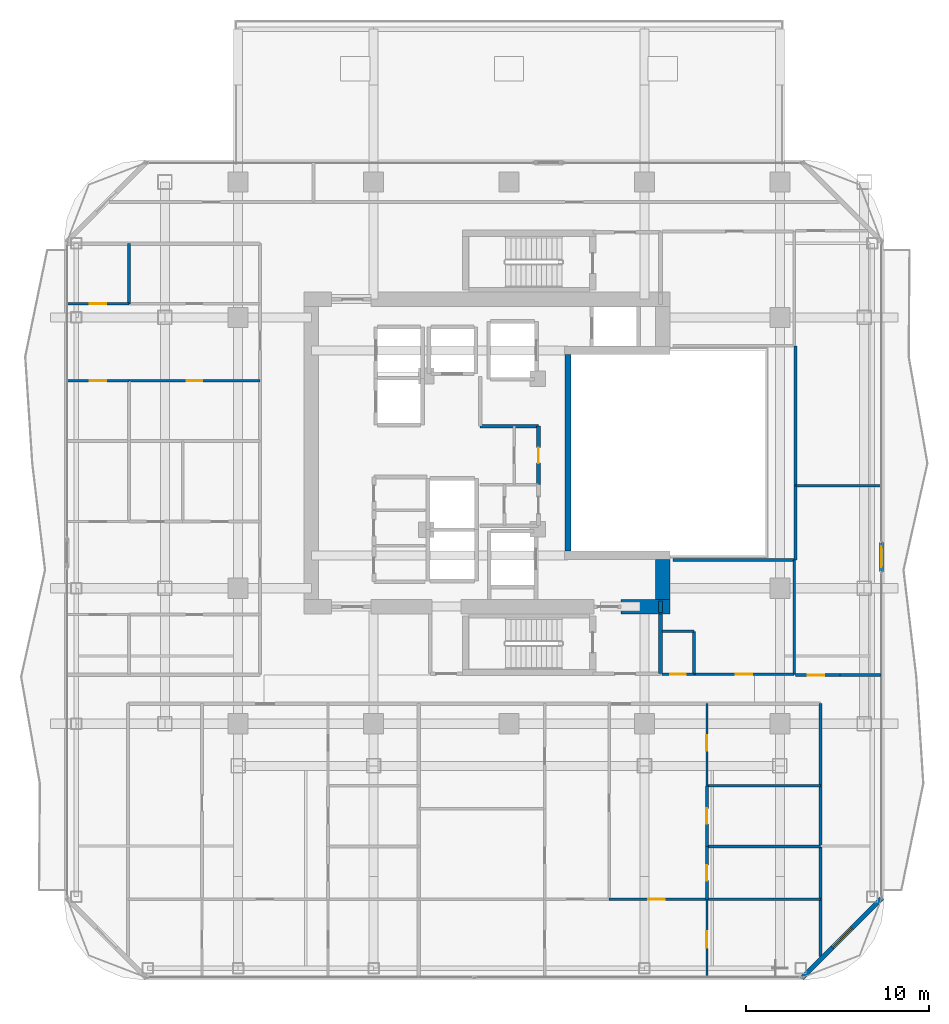
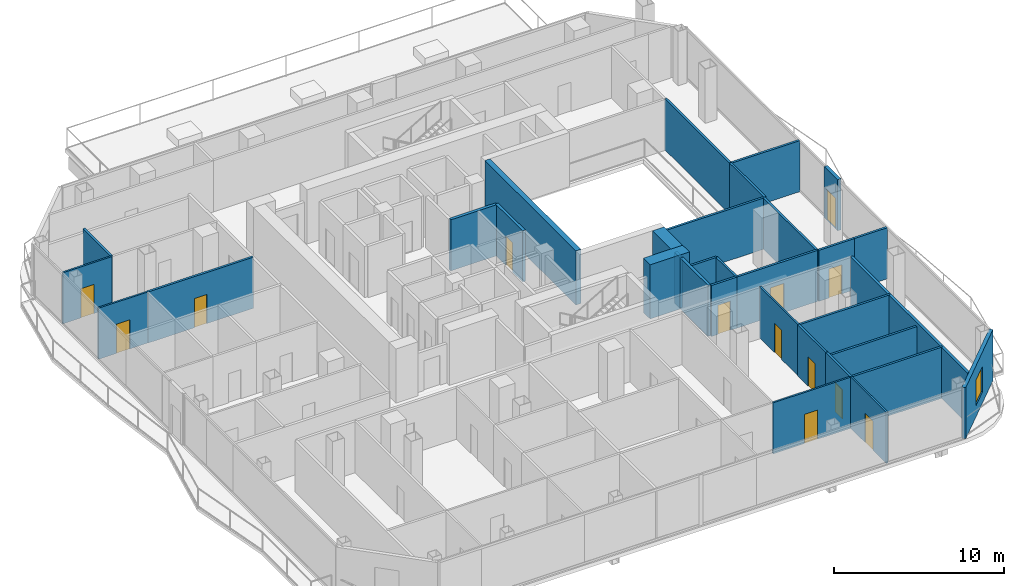
# One storey, part 19 of 24: 33 walls, 13 doors, 1 window, 14 openings.
"""IFC4 building model written with IfcOpenShell, lengths in metres."""

from ifc_helpers import new_model, si_unit, direction, frame, frame_2d, origin, place, context, subcontext, project, spatial, rectangle, extrude, material, layer, layer_set, type_object, element, fill, save


model = new_model("IFC4")

# Units and contexts
model_context = context("Model", 3, precision=1e-05, world=origin(), true_north=direction((0.0, 1.0)))
body_context = subcontext(model_context, "Body", "Model", "MODEL_VIEW")
ifc_project = project(units=[si_unit("LENGTHUNIT", "METRE"), si_unit("AREAUNIT", "SQUARE_METRE"), si_unit("VOLUMEUNIT", "CUBIC_METRE"), si_unit("PLANEANGLEUNIT", "RADIAN"), si_unit("MASSUNIT", "GRAM", prefix="KILO")], contexts=[model_context])

# Site, building, storey
site_placement = place(None, origin())
site = spatial("IfcSite", under=ifc_project, at=site_placement, CompositionType="ELEMENT")
building_placement = place(site_placement, origin())
building = spatial("IfcBuilding", under=site, at=building_placement, Name="Khorvyn Point Tower", CompositionType="ELEMENT")
storey_placement = place(building_placement, frame((0.0, 0.0, 191.39990234375)))
storey = spatial("IfcBuildingStorey", under=building, at=storey_placement, Name="L47", CompositionType="ELEMENT", Elevation=191.39990234375)

# Wall
ifc_material_1 = material(Name="Double acoustic gypsum on twin steel stud", Category="steel")
ifc_layer_1 = layer(ifc_material_1, 0.179931640625)
ifc_layer_set_1 = layer_set([ifc_layer_1], Name="Acoustic Double-Stud Apartment Demising Wall 180")
wall_type_1 = type_object("IfcWallType", Name="Acoustic Double-Stud Apartment Demising Wall 180", PredefinedType="PARTITIONING", material=ifc_layer_set_1)
wall_1_placement = place(storey_placement, frame((17.02001953125, -27.510009765625, 0.0), z_axis=(0.0, 0.0, 1.0), x_axis=(0.0, 1.0, 0.0)))
element("IfcWall", 1, at=wall_1_placement, inside=storey, type_object=wall_type_1, Name="Wall", PredefinedType="PARTITIONING", context=body_context, shape_type="SweptSolid", body=[
    extrude(rectangle(XDim=13.81005859375, YDim=0.179931640625, at=frame_2d((6.905029296875, 0.0))), origin(), (0.0, 0.0, 1.0), 3.68017578125),
])

# Wall, opening, door
ifc_material_2 = material(Name="Pale anodised aluminium rainscreen on steel stud", Category="steel")
ifc_layer_2 = layer(ifc_material_2, 0.239990234375)
ifc_layer_set_2 = layer_set([ifc_layer_2], Name="Anodised Aluminium Insulated Corner Spandrel Wall 240")
wall_type_2 = type_object("IfcWallType", Name="Anodised Aluminium Insulated Corner Spandrel Wall 240", PredefinedType="SOLIDWALL", material=ifc_layer_set_2)
wall_2_placement = place(storey_placement, frame((20.35009765625, -4.89990234375, 0.0), z_axis=(0.0, 0.0, 1.0), x_axis=(0.0, -1.0, 0.0)))
wall_2 = element("IfcWall", 2, at=wall_2_placement, inside=storey, type_object=wall_type_2, Name="L47 East Outdoor Threshold Wall", PredefinedType="SOLIDWALL", context=body_context, shape_type="SweptSolid", body=[
    extrude(rectangle(XDim=1.580078125, YDim=0.239990234375, at=frame_2d((0.7900390625, 0.0))), origin(), (0.0, 0.0, 1.0), 3.68017578125),
])
opening_1_placement = place(wall_2_placement, frame((0.239990234375, 0.0, 0.0)))
opening_1 = element("IfcOpeningElement", 3, at=opening_1_placement, cuts=wall_2, Name="Opening BD-1122", PredefinedType="OPENING", context=body_context, shape_type="SweptSolid", body=[
    extrude(rectangle(XDim=1.10009765625, YDim=2.199951171875, at=frame_2d((0.550048828125, 1.10009765625))), frame((0.0, 0.1298828125, 0.0), z_axis=(0.0, -1.0, 0.0), x_axis=(1.0, 0.0, 0.0)), (0.0, 0.0, 1.0), 0.260009765625),
])
ifc_material_3 = material(Name="Anodised aluminium 6063-T6 and laminated Low-E glass", Category="aluminium")
door_type_1 = type_object("IfcDoorType", Name="Glazed Balcony and Terrace Threshold Door 1100x2200", OperationType="NOTDEFINED", PredefinedType="DOOR", material=ifc_material_3)
door_1_placement = place(opening_1_placement, origin())
door_1 = element("IfcDoor", 4, at=door_1_placement, inside=storey, type_object=door_type_1, Name="L47 East Glazed Balcony Outdoor Door", OperationType="SINGLE_SWING_LEFT", OverallHeight=2.199951171875, OverallWidth=1.10009765625, PredefinedType="DOOR", context=body_context, shape_type="SweptSolid", body=[
    extrude(rectangle(XDim=1.10009765625, YDim=2.199951171875, at=frame_2d((0.550048828125, 1.10009765625))), frame((0.0, 0.02490234375, 0.0), z_axis=(0.0, -1.0, 0.0), x_axis=(1.0, 0.0, 0.0)), (0.0, 0.0, 1.0), 0.050048828125),
])
fill(opening_1, door_1)

# Wall, opening, window
wall_3_placement = place(storey_placement, frame((20.392333984375, -24.3076171875, 0.0), z_axis=(0.0, 0.0, 1.0), x_axis=(-0.707106781187, -0.707106781187, 0.0)))
wall_3 = element("IfcWall", 5, at=wall_3_placement, inside=storey, type_object=wall_type_2, Name="L47 Rounded Corner Wall SE", PredefinedType="SOLIDWALL", context=body_context, shape_type="SweptSolid", body=[
    extrude(rectangle(XDim=6.200927734375, YDim=0.239990234375, at=frame_2d((3.1005859375, 0.0))), origin(), (0.0, 0.0, 1.0), 3.68017578125),
])
opening_2_placement = place(wall_3_placement, frame((2.3505859375, 0.0, 0.800048828125)))
opening_2 = element("IfcOpeningElement", 6, at=opening_2_placement, cuts=wall_3, Name="Opening WN-1518", PredefinedType="OPENING", context=body_context, shape_type="SweptSolid", body=[
    extrude(rectangle(XDim=1.5, YDim=1.85009765625, at=frame_2d((0.75, 0.925048828125))), frame((0.0, 0.1298828125, 0.0), z_axis=(0.0, -1.0, 0.0), x_axis=(1.0, 0.0, 0.0)), (0.0, 0.0, 1.0), 0.260009765625),
])
window_type = type_object("IfcWindowType", Name="Anodised Aluminium Rounded-Corner Panoramic Window 1500x1850", PartitioningType="SINGLE_PANEL", PredefinedType="WINDOW", material=ifc_material_3)
window_placement = place(opening_2_placement, origin())
window = element("IfcWindow", 7, at=window_placement, inside=storey, type_object=window_type, Name="L47 Corner Panoramic Window SE", OverallHeight=1.85009765625, OverallWidth=1.5, PartitioningType="SINGLE_PANEL", PredefinedType="WINDOW", context=body_context, shape_type="SweptSolid", body=[
    extrude(rectangle(XDim=1.5, YDim=1.85009765625, at=frame_2d((0.75, 0.925048828125))), frame((0.0, 0.030029296875, 0.0), z_axis=(0.0, -1.0, 0.0), x_axis=(1.0, 0.0, 0.0)), (0.0, 0.0, 1.0), 0.06005859375),
])
fill(opening_2, window)

# Wall, opening, door
ifc_material_4 = material(Name="Concrete C40/50", Category="concrete")
ifc_layer_3 = layer(ifc_material_4, 0.199951171875)
ifc_layer_set_3 = layer_set([ifc_layer_3], Name="Concrete C40/50 Fire-Lobby Compartment Wall 200")
wall_type_3 = type_object("IfcWallType", Name="Concrete C40/50 Fire-Lobby Compartment Wall 200", PredefinedType="SOLIDWALL", material=ifc_layer_set_3)
wall_4_placement = place(storey_placement, frame((1.610107421875, -1.739013671875, 0.0), z_axis=(0.0, 0.0, 1.0), x_axis=(0.0, 1.0, 0.0)))
wall_4 = element("IfcWall", 8, at=wall_4_placement, inside=storey, type_object=wall_type_3, Name="Wall", PredefinedType="SOLIDWALL", context=body_context, shape_type="SweptSolid", body=[
    extrude(rectangle(XDim=3.198974609375, YDim=0.199951171875, at=frame_2d((1.599609375, 0.0))), origin(), (0.0, 0.0, 1.0), 3.68017578125),
])
opening_3_placement = place(wall_4_placement, frame((1.174560546875, 0.0, 0.0)))
opening_3 = element("IfcOpeningElement", 9, at=opening_3_placement, cuts=wall_4, Name="Opening ID-WC85", PredefinedType="OPENING", context=body_context, shape_type="SweptSolid", body=[
    extrude(rectangle(XDim=0.85009765625, YDim=2.10009765625, at=frame_2d((0.425048828125, 1.050048828125))), frame((0.0, 0.10986328125, 0.0), z_axis=(0.0, -1.0, 0.0), x_axis=(1.0, 0.0, 0.0)), (0.0, 0.0, 1.0), 0.219970703125),
])
ifc_material_5 = material(Name="High-pressure laminate on moisture-resistant core", Category="wood")
door_type_2 = type_object("IfcDoorType", Name="Moisture-Resistant Accessible Washroom Door 850x2100", OperationType="NOTDEFINED", PredefinedType="DOOR", material=ifc_material_5)
door_2_placement = place(opening_3_placement, origin())
door_2 = element("IfcDoor", 10, at=door_2_placement, inside=storey, type_object=door_type_2, Name="Door", OperationType="SINGLE_SWING_RIGHT", OverallHeight=2.10009765625, OverallWidth=0.85009765625, PredefinedType="DOOR", context=body_context, shape_type="SweptSolid", body=[
    extrude(rectangle(XDim=0.85009765625, YDim=2.10009765625, at=frame_2d((0.425048828125, 1.050048828125))), frame((0.0, 0.02490234375, 0.0), z_axis=(0.0, -1.0, 0.0), x_axis=(1.0, 0.0, 0.0)), (0.0, 0.0, 1.0), 0.050048828125),
])
fill(opening_3, door_2)

# Walls
wall_5_placement = place(storey_placement, frame((8.280029296875, -12.06005859375, 0.0), z_axis=(0.0, 0.0, 1.0), x_axis=(0.0, 1.0, 0.0)))
element("IfcWall", 11, at=wall_5_placement, inside=storey, type_object=wall_type_3, Name="Wall", PredefinedType="SOLIDWALL", context=body_context, shape_type="SweptSolid", body=[
    extrude(rectangle(XDim=3.260009765625, YDim=0.199951171875, at=frame_2d((1.6298828125, 0.0))), origin(), (0.0, 0.0, 1.0), 3.68017578125),
])
wall_6_placement = place(storey_placement, frame((-1.580078125, 1.4599609375, 0.0), z_axis=(0.0, 0.0, 1.0), x_axis=(1.0, 0.0, 0.0)))
element("IfcWall", 12, at=wall_6_placement, inside=storey, type_object=wall_type_3, Name="Wall", PredefinedType="SOLIDWALL", context=body_context, shape_type="SweptSolid", body=[
    extrude(rectangle(XDim=3.190185546875, YDim=0.199951171875, at=frame_2d((1.59521484375, 0.0))), origin(), (0.0, 0.0, 1.0), 3.68017578125),
])
wall_7_placement = place(storey_placement, frame((8.280029296875, -8.72509765625, 0.0), z_axis=(0.0, 0.0, 1.0), x_axis=(0.0, 1.0, 0.0)))
element("IfcWall", 13, at=wall_7_placement, inside=storey, type_object=wall_type_3, Name="Wall", PredefinedType="SOLIDWALL", context=body_context, shape_type="SweptSolid", body=[
    extrude(rectangle(XDim=0.625, YDim=0.199951171875, at=frame_2d((0.3125, 0.0))), origin(), (0.0, 0.0, 1.0), 3.68017578125),
])
ifc_layer_4 = layer(ifc_material_4, 0.35009765625)
ifc_layer_set_4 = layer_set([ifc_layer_4], Name="Concrete C40/50 Stair Shaft Structural Wall 350")
wall_type_4 = type_object("IfcWallType", Name="Concrete C40/50 Stair Shaft Structural Wall 350", PredefinedType="SHEAR", material=ifc_layer_set_4)
wall_8_placement = place(storey_placement, frame((3.219970703125, -5.375, 0.0), z_axis=(0.0, 0.0, 1.0), x_axis=(0.0, 1.0, 0.0)))
element("IfcWall", 14, at=wall_8_placement, inside=storey, type_object=wall_type_4, Name="Wall", PredefinedType="SHEAR", context=body_context, shape_type="SweptSolid", body=[
    extrude(rectangle(XDim=10.75, YDim=0.35009765625, at=frame_2d((5.375, 0.0))), origin(), (0.0, 0.0, 1.0), 3.900146484375),
])
ifc_material_6 = material(Name="Concrete C45/55", Category="concrete")
ifc_layer_5 = layer(ifc_material_6, 0.800048828125)
ifc_layer_set_5 = layer_set([ifc_layer_5], Name="Concrete C45/55 Core Shear Wall 800")
wall_type_5 = type_object("IfcWallType", Name="Concrete C45/55 Core Shear Wall 800", PredefinedType="SHEAR", material=ifc_layer_set_5)
wall_9_placement = place(storey_placement, frame((6.1201171875, -8.39990234375, 0.0), z_axis=(0.0, 0.0, 1.0), x_axis=(1.0, 0.0, 0.0)))
element("IfcWall", 15, at=wall_9_placement, inside=storey, type_object=wall_type_5, Name="Wall", PredefinedType="SHEAR", context=body_context, shape_type="SweptSolid", body=[
    extrude(rectangle(XDim=2.679931640625, YDim=0.800048828125, at=frame_2d((1.33984375, 0.0))), origin(), (0.0, 0.0, 1.0), 3.900146484375),
])
wall_10_placement = place(storey_placement, frame((8.39990234375, -8.0, 0.0), z_axis=(0.0, 0.0, 1.0), x_axis=(0.0, 1.0, 0.0)))
element("IfcWall", 16, at=wall_10_placement, inside=storey, type_object=wall_type_5, Name="Wall", PredefinedType="SHEAR", context=body_context, shape_type="SweptSolid", body=[
    extrude(rectangle(XDim=2.175048828125, YDim=0.800048828125, at=frame_2d((1.08740234375, 0.0))), origin(), (0.0, 0.0, 1.0), 3.900146484375),
])

# Wall, opening, door
ifc_material_7 = material(Name="Gypsum plasterboard on steel stud", Category="steel")
ifc_layer_6 = layer(ifc_material_7, 0.1201171875)
ifc_layer_set_6 = layer_set([ifc_layer_6], Name="Gypsum Acoustic Stud Room Partition Wall 120")
wall_type_6 = type_object("IfcWallType", Name="Gypsum Acoustic Stud Room Partition Wall 120", PredefinedType="PARTITIONING", material=ifc_layer_set_6)
wall_11_placement = place(storey_placement, frame((5.471923828125, -24.389892578125, 0.0), z_axis=(0.0, 0.0, 1.0), x_axis=(1.0, 0.0, 0.0)))
wall_11 = element("IfcWall", 17, at=wall_11_placement, inside=storey, type_object=wall_type_6, Name="Wall", PredefinedType="PARTITIONING", context=body_context, shape_type="SweptSolid", body=[
    extrude(rectangle(XDim=5.342041015625, YDim=0.1201171875, at=frame_2d((2.6708984375, 0.0))), origin(), (0.0, 0.0, 1.0), 3.68017578125),
])
opening_4_placement = place(wall_11_placement, frame((2.13134765625, 0.0, 0.0)))
opening_4 = element("IfcOpeningElement", 18, at=opening_4_placement, cuts=wall_11, Name="Opening ID-RM90", PredefinedType="OPENING", context=body_context, shape_type="SweptSolid", body=[
    extrude(rectangle(XDim=0.89990234375, YDim=2.10009765625, at=frame_2d((0.449951171875, 1.050048828125))), frame((0.0, 0.070068359375, 0.0), z_axis=(0.0, -1.0, 0.0), x_axis=(1.0, 0.0, 0.0)), (0.0, 0.0, 1.0), 0.14013671875),
])
ifc_material_8 = material(Name="Engineered oak veneer timber", Category="wood")
door_type_3 = type_object("IfcDoorType", Name="Flush Engineered Timber Room Door 900x2100", OperationType="NOTDEFINED", PredefinedType="DOOR", material=ifc_material_8)
door_3_placement = place(opening_4_placement, origin())
door_3 = element("IfcDoor", 19, at=door_3_placement, inside=storey, type_object=door_type_3, Name="Door", OperationType="SINGLE_SWING_LEFT", OverallHeight=2.10009765625, OverallWidth=0.89990234375, PredefinedType="DOOR", context=body_context, shape_type="SweptSolid", body=[
    extrude(rectangle(XDim=0.89990234375, YDim=2.10009765625, at=frame_2d((0.449951171875, 1.050048828125))), frame((0.0, 0.02490234375, 0.0), z_axis=(0.0, -1.0, 0.0), x_axis=(1.0, 0.0, 0.0)), (0.0, 0.0, 1.0), 0.050048828125),
])
fill(opening_4, door_3)

wall_12_placement = place(storey_placement, frame((10.81396484375, -18.18994140625, 0.0), z_axis=(0.0, 0.0, 1.0), x_axis=(0.0, 1.0, 0.0)))
wall_12 = element("IfcWall", 20, at=wall_12_placement, inside=storey, type_object=wall_type_6, Name="Wall", PredefinedType="PARTITIONING", context=body_context, shape_type="SweptSolid", body=[
    extrude(rectangle(XDim=4.489990234375, YDim=0.1201171875, at=frame_2d((2.2451171875, 0.0))), origin(), (0.0, 0.0, 1.0), 3.68017578125),
])
opening_5_placement = place(wall_12_placement, frame((1.907470703125, 0.0, 0.0)))
opening_5 = element("IfcOpeningElement", 21, at=opening_5_placement, cuts=wall_12, Name="Opening ID-WC85", PredefinedType="OPENING", context=body_context, shape_type="SweptSolid", body=[
    extrude(rectangle(XDim=0.85009765625, YDim=2.10009765625, at=frame_2d((0.425048828125, 1.050048828125))), frame((0.0, 0.070068359375, 0.0), z_axis=(0.0, -1.0, 0.0), x_axis=(1.0, 0.0, 0.0)), (0.0, 0.0, 1.0), 0.14013671875),
])
door_4_placement = place(opening_5_placement, origin())
door_4 = element("IfcDoor", 22, at=door_4_placement, inside=storey, type_object=door_type_2, Name="Door", OperationType="SINGLE_SWING_RIGHT", OverallHeight=2.10009765625, OverallWidth=0.85009765625, PredefinedType="DOOR", context=body_context, shape_type="SweptSolid", body=[
    extrude(rectangle(XDim=0.85009765625, YDim=2.10009765625, at=frame_2d((0.425048828125, 1.050048828125))), frame((0.0, 0.02490234375, 0.0), z_axis=(0.0, -1.0, 0.0), x_axis=(1.0, 0.0, 0.0)), (0.0, 0.0, 1.0), 0.050048828125),
])
fill(opening_5, door_4)

wall_13_placement = place(storey_placement, frame((10.81396484375, -28.6298828125, 0.0), z_axis=(0.0, 0.0, 1.0), x_axis=(0.0, 1.0, 0.0)))
wall_13 = element("IfcWall", 23, at=wall_13_placement, inside=storey, type_object=wall_type_6, Name="Wall", PredefinedType="PARTITIONING", context=body_context, shape_type="SweptSolid", body=[
    extrude(rectangle(XDim=4.239990234375, YDim=0.1201171875, at=frame_2d((2.1201171875, 0.0))), origin(), (0.0, 0.0, 1.0), 3.68017578125),
])
opening_6_placement = place(wall_13_placement, frame((1.581298828125, 0.0, 0.0)))
opening_6 = element("IfcOpeningElement", 24, at=opening_6_placement, cuts=wall_13, Name="Opening ID-RM90", PredefinedType="OPENING", context=body_context, shape_type="SweptSolid", body=[
    extrude(rectangle(XDim=0.89990234375, YDim=2.10009765625, at=frame_2d((0.449951171875, 1.050048828125))), frame((0.0, 0.070068359375, 0.0), z_axis=(0.0, -1.0, 0.0), x_axis=(1.0, 0.0, 0.0)), (0.0, 0.0, 1.0), 0.14013671875),
])
door_5_placement = place(opening_6_placement, origin())
door_5 = element("IfcDoor", 25, at=door_5_placement, inside=storey, type_object=door_type_3, Name="Door", OperationType="SINGLE_SWING_LEFT", OverallHeight=2.10009765625, OverallWidth=0.89990234375, PredefinedType="DOOR", context=body_context, shape_type="SweptSolid", body=[
    extrude(rectangle(XDim=0.89990234375, YDim=2.10009765625, at=frame_2d((0.449951171875, 1.050048828125))), frame((0.0, 0.02490234375, 0.0), z_axis=(0.0, -1.0, 0.0), x_axis=(1.0, 0.0, 0.0)), (0.0, 0.0, 1.0), 0.050048828125),
])
fill(opening_6, door_5)

wall_14_placement = place(storey_placement, frame((-24.1298828125, 3.93896484375, 0.0), z_axis=(0.0, 0.0, 1.0), x_axis=(1.0, 0.0, 0.0)))
wall_14 = element("IfcWall", 26, at=wall_14_placement, inside=storey, type_object=wall_type_6, Name="Wall", PredefinedType="PARTITIONING", context=body_context, shape_type="SweptSolid", body=[
    extrude(rectangle(XDim=3.36083984375, YDim=0.1201171875, at=frame_2d((1.680419921875, 0.0))), origin(), (0.0, 0.0, 1.0), 3.68017578125),
])
opening_7_placement = place(wall_14_placement, frame((1.23046875, 0.0, 0.0)))
opening_7 = element("IfcOpeningElement", 27, at=opening_7_placement, cuts=wall_14, Name="Opening ID-RM90", PredefinedType="OPENING", context=body_context, shape_type="SweptSolid", body=[
    extrude(rectangle(XDim=0.89990234375, YDim=2.10009765625, at=frame_2d((0.449951171875, 1.050048828125))), frame((0.0, 0.070068359375, 0.0), z_axis=(0.0, -1.0, 0.0), x_axis=(1.0, 0.0, 0.0)), (0.0, 0.0, 1.0), 0.14013671875),
])
door_6_placement = place(opening_7_placement, origin())
door_6 = element("IfcDoor", 28, at=door_6_placement, inside=storey, type_object=door_type_3, Name="Door", OperationType="SINGLE_SWING_LEFT", OverallHeight=2.10009765625, OverallWidth=0.89990234375, PredefinedType="DOOR", context=body_context, shape_type="SweptSolid", body=[
    extrude(rectangle(XDim=0.89990234375, YDim=2.10009765625, at=frame_2d((0.449951171875, 1.050048828125))), frame((0.0, 0.02490234375, 0.0), z_axis=(0.0, -1.0, 0.0), x_axis=(1.0, 0.0, 0.0)), (0.0, 0.0, 1.0), 0.050048828125),
])
fill(opening_7, door_6)

wall_15_placement = place(storey_placement, frame((-24.1298828125, 8.14599609375, 0.0), z_axis=(0.0, 0.0, 1.0), x_axis=(1.0, 0.0, 0.0)))
wall_15 = element("IfcWall", 29, at=wall_15_placement, inside=storey, type_object=wall_type_6, Name="Wall", PredefinedType="PARTITIONING", context=body_context, shape_type="SweptSolid", body=[
    extrude(rectangle(XDim=3.36083984375, YDim=0.1201171875, at=frame_2d((1.680419921875, 0.0))), origin(), (0.0, 0.0, 1.0), 3.68017578125),
])
opening_8_placement = place(wall_15_placement, frame((1.23046875, 0.0, 0.0)))
opening_8 = element("IfcOpeningElement", 30, at=opening_8_placement, cuts=wall_15, Name="Opening ID-RM90", PredefinedType="OPENING", context=body_context, shape_type="SweptSolid", body=[
    extrude(rectangle(XDim=0.89990234375, YDim=2.10009765625, at=frame_2d((0.449951171875, 1.050048828125))), frame((0.0, 0.070068359375, 0.0), z_axis=(0.0, -1.0, 0.0), x_axis=(1.0, 0.0, 0.0)), (0.0, 0.0, 1.0), 0.14013671875),
])
door_7_placement = place(opening_8_placement, origin())
door_7 = element("IfcDoor", 31, at=door_7_placement, inside=storey, type_object=door_type_3, Name="Door", OperationType="SINGLE_SWING_RIGHT", OverallHeight=2.10009765625, OverallWidth=0.89990234375, PredefinedType="DOOR", context=body_context, shape_type="SweptSolid", body=[
    extrude(rectangle(XDim=0.89990234375, YDim=2.10009765625, at=frame_2d((0.449951171875, 1.050048828125))), frame((0.0, 0.02490234375, 0.0), z_axis=(0.0, -1.0, 0.0), x_axis=(1.0, 0.0, 0.0)), (0.0, 0.0, 1.0), 0.050048828125),
])
fill(opening_8, door_7)

ifc_material_9 = material(Name="Moisture-resistant gypsum and cement board", Category="gypsum")
ifc_layer_7 = layer(ifc_material_9, 0.14990234375)
ifc_layer_set_7 = layer_set([ifc_layer_7], Name="Moisture-Resistant Wet-Room Partition Wall 150")
wall_type_7 = type_object("IfcWallType", Name="Moisture-Resistant Wet-Room Partition Wall 150", PredefinedType="PARTITIONING", material=ifc_layer_set_7)
wall_16_placement = place(storey_placement, frame((8.360107421875, -12.10009765625, 0.0), z_axis=(0.0, 0.0, 1.0), x_axis=(1.0, 0.0, 0.0)))
wall_16 = element("IfcWall", 32, at=wall_16_placement, inside=storey, type_object=wall_type_7, Name="Wall", PredefinedType="PARTITIONING", context=body_context, shape_type="SweptSolid", body=[
    extrude(rectangle(XDim=1.739990234375, YDim=0.14990234375, at=frame_2d((0.8701171875, 0.0))), origin(), (0.0, 0.0, 1.0), 3.68017578125),
])
opening_9_placement = place(wall_16_placement, frame((0.445068359375, 0.0, 0.0)))
opening_9 = element("IfcOpeningElement", 33, at=opening_9_placement, cuts=wall_16, Name="Opening ID-WC85", PredefinedType="OPENING", context=body_context, shape_type="SweptSolid", body=[
    extrude(rectangle(XDim=0.85009765625, YDim=2.10009765625, at=frame_2d((0.425048828125, 1.050048828125))), frame((0.0, 0.0849609375, 0.0), z_axis=(0.0, -1.0, 0.0), x_axis=(1.0, 0.0, 0.0)), (0.0, 0.0, 1.0), 0.169921875),
])
door_8_placement = place(opening_9_placement, origin())
door_8 = element("IfcDoor", 34, at=door_8_placement, inside=storey, type_object=door_type_2, Name="Door", OperationType="SINGLE_SWING_RIGHT", OverallHeight=2.10009765625, OverallWidth=0.85009765625, PredefinedType="DOOR", context=body_context, shape_type="SweptSolid", body=[
    extrude(rectangle(XDim=0.85009765625, YDim=2.10009765625, at=frame_2d((0.425048828125, 1.050048828125))), frame((0.0, 0.02490234375, 0.0), z_axis=(0.0, -1.0, 0.0), x_axis=(1.0, 0.0, 0.0)), (0.0, 0.0, 1.0), 0.050048828125),
])
fill(opening_9, door_8)

wall_17_placement = place(storey_placement, frame((10.10009765625, -12.10009765625, 0.0), z_axis=(0.0, 0.0, 1.0), x_axis=(1.0, 0.0, 0.0)))
wall_17 = element("IfcWall", 35, at=wall_17_placement, inside=storey, type_object=wall_type_7, Name="Wall", PredefinedType="PARTITIONING", context=body_context, shape_type="SweptSolid", body=[
    extrude(rectangle(XDim=5.47998046875, YDim=0.14990234375, at=frame_2d((2.739990234375, 0.0))), origin(), (0.0, 0.0, 1.0), 3.68017578125),
])
opening_10_placement = place(wall_17_placement, frame((2.2900390625, 0.0, 0.0)))
opening_10 = element("IfcOpeningElement", 36, at=opening_10_placement, cuts=wall_17, Name="Opening ID-RM90", PredefinedType="OPENING", context=body_context, shape_type="SweptSolid", body=[
    extrude(rectangle(XDim=0.89990234375, YDim=2.10009765625, at=frame_2d((0.449951171875, 1.050048828125))), frame((0.0, 0.0849609375, 0.0), z_axis=(0.0, -1.0, 0.0), x_axis=(1.0, 0.0, 0.0)), (0.0, 0.0, 1.0), 0.169921875),
])
door_9_placement = place(opening_10_placement, origin())
door_9 = element("IfcDoor", 37, at=door_9_placement, inside=storey, type_object=door_type_3, Name="Door", OperationType="SINGLE_SWING_LEFT", OverallHeight=2.10009765625, OverallWidth=0.89990234375, PredefinedType="DOOR", context=body_context, shape_type="SweptSolid", body=[
    extrude(rectangle(XDim=0.89990234375, YDim=2.10009765625, at=frame_2d((0.449951171875, 1.050048828125))), frame((0.0, 0.02490234375, 0.0), z_axis=(0.0, -1.0, 0.0), x_axis=(1.0, 0.0, 0.0)), (0.0, 0.0, 1.0), 0.050048828125),
])
fill(opening_10, door_9)

wall_18_placement = place(storey_placement, frame((10.81396484375, -24.389892578125, 0.0), z_axis=(0.0, 0.0, 1.0), x_axis=(0.0, 1.0, 0.0)))
wall_18 = element("IfcWall", 38, at=wall_18_placement, inside=storey, type_object=wall_type_7, Name="Wall", PredefinedType="PARTITIONING", context=body_context, shape_type="SweptSolid", body=[
    extrude(rectangle(XDim=2.885986328125, YDim=0.14990234375, at=frame_2d((1.44287109375, 0.0))), origin(), (0.0, 0.0, 1.0), 3.68017578125),
])
opening_11_placement = place(wall_18_placement, frame((1.01806640625, 0.0, 0.0)))
opening_11 = element("IfcOpeningElement", 39, at=opening_11_placement, cuts=wall_18, Name="Opening ID-WC85", PredefinedType="OPENING", context=body_context, shape_type="SweptSolid", body=[
    extrude(rectangle(XDim=0.85009765625, YDim=2.10009765625, at=frame_2d((0.425048828125, 1.050048828125))), frame((0.0, 0.0849609375, 0.0), z_axis=(0.0, -1.0, 0.0), x_axis=(1.0, 0.0, 0.0)), (0.0, 0.0, 1.0), 0.169921875),
])
door_10_placement = place(opening_11_placement, origin())
door_10 = element("IfcDoor", 40, at=door_10_placement, inside=storey, type_object=door_type_2, Name="Door", OperationType="SINGLE_SWING_RIGHT", OverallHeight=2.10009765625, OverallWidth=0.85009765625, PredefinedType="DOOR", context=body_context, shape_type="SweptSolid", body=[
    extrude(rectangle(XDim=0.85009765625, YDim=2.10009765625, at=frame_2d((0.425048828125, 1.050048828125))), frame((0.0, 0.02490234375, 0.0), z_axis=(0.0, -1.0, 0.0), x_axis=(1.0, 0.0, 0.0)), (0.0, 0.0, 1.0), 0.050048828125),
])
fill(opening_11, door_10)

wall_19_placement = place(storey_placement, frame((10.81396484375, -21.50390625, 0.0), z_axis=(0.0, 0.0, 1.0), x_axis=(0.0, 1.0, 0.0)))
wall_19 = element("IfcWall", 41, at=wall_19_placement, inside=storey, type_object=wall_type_7, Name="Wall", PredefinedType="PARTITIONING", context=body_context, shape_type="SweptSolid", body=[
    extrude(rectangle(XDim=3.31396484375, YDim=0.14990234375, at=frame_2d((1.656982421875, 0.0))), origin(), (0.0, 0.0, 1.0), 3.68017578125),
])
opening_12_placement = place(wall_19_placement, frame((1.23193359375, 0.0, 0.0)))
opening_12 = element("IfcOpeningElement", 42, at=opening_12_placement, cuts=wall_19, Name="Opening ID-WC85", PredefinedType="OPENING", context=body_context, shape_type="SweptSolid", body=[
    extrude(rectangle(XDim=0.85009765625, YDim=2.10009765625, at=frame_2d((0.425048828125, 1.050048828125))), frame((0.0, 0.0849609375, 0.0), z_axis=(0.0, -1.0, 0.0), x_axis=(1.0, 0.0, 0.0)), (0.0, 0.0, 1.0), 0.169921875),
])
door_11_placement = place(opening_12_placement, origin())
door_11 = element("IfcDoor", 43, at=door_11_placement, inside=storey, type_object=door_type_2, Name="Door", OperationType="SINGLE_SWING_LEFT", OverallHeight=2.10009765625, OverallWidth=0.85009765625, PredefinedType="DOOR", context=body_context, shape_type="SweptSolid", body=[
    extrude(rectangle(XDim=0.85009765625, YDim=2.10009765625, at=frame_2d((0.425048828125, 1.050048828125))), frame((0.0, 0.02490234375, 0.0), z_axis=(0.0, -1.0, 0.0), x_axis=(1.0, 0.0, 0.0)), (0.0, 0.0, 1.0), 0.050048828125),
])
fill(opening_12, door_11)

wall_20_placement = place(storey_placement, frame((-20.76904296875, 3.93896484375, 0.0), z_axis=(0.0, 0.0, 1.0), x_axis=(1.0, 0.0, 0.0)))
wall_20 = element("IfcWall", 44, at=wall_20_placement, inside=storey, type_object=wall_type_7, Name="Wall", PredefinedType="PARTITIONING", context=body_context, shape_type="SweptSolid", body=[
    extrude(rectangle(XDim=7.1689453125, YDim=0.14990234375, at=frame_2d((3.58447265625, 0.0))), origin(), (0.0, 0.0, 1.0), 3.68017578125),
])
opening_13_placement = place(wall_20_placement, frame((3.159423828125, 0.0, 0.0)))
opening_13 = element("IfcOpeningElement", 45, at=opening_13_placement, cuts=wall_20, Name="Opening ID-WC85", PredefinedType="OPENING", context=body_context, shape_type="SweptSolid", body=[
    extrude(rectangle(XDim=0.85009765625, YDim=2.10009765625, at=frame_2d((0.425048828125, 1.050048828125))), frame((0.0, 0.0849609375, 0.0), z_axis=(0.0, -1.0, 0.0), x_axis=(1.0, 0.0, 0.0)), (0.0, 0.0, 1.0), 0.169921875),
])
door_12_placement = place(opening_13_placement, origin())
door_12 = element("IfcDoor", 46, at=door_12_placement, inside=storey, type_object=door_type_2, Name="Door", OperationType="SINGLE_SWING_RIGHT", OverallHeight=2.10009765625, OverallWidth=0.85009765625, PredefinedType="DOOR", context=body_context, shape_type="SweptSolid", body=[
    extrude(rectangle(XDim=0.85009765625, YDim=2.10009765625, at=frame_2d((0.425048828125, 1.050048828125))), frame((0.0, 0.02490234375, 0.0), z_axis=(0.0, -1.0, 0.0), x_axis=(1.0, 0.0, 0.0)), (0.0, 0.0, 1.0), 0.050048828125),
])
fill(opening_13, door_12)

wall_21_placement = place(storey_placement, frame((15.64990234375, -12.139892578125, 0.0), z_axis=(0.0, 0.0, 1.0), x_axis=(1.0, 0.0, 0.0)))
wall_21 = element("IfcWall", 47, at=wall_21_placement, inside=storey, type_object=wall_type_7, Name="Wall", PredefinedType="PARTITIONING", context=body_context, shape_type="SweptSolid", body=[
    extrude(rectangle(XDim=2.420166015625, YDim=0.14990234375, at=frame_2d((1.2099609375, 0.0))), origin(), (0.0, 0.0, 1.0), 3.68017578125),
])
opening_14_placement = place(wall_21_placement, frame((0.67431640625, 0.0, 0.0)))
opening_14 = element("IfcOpeningElement", 48, at=opening_14_placement, cuts=wall_21, Name="Opening ID-RM90", PredefinedType="OPENING", context=body_context, shape_type="SweptSolid", body=[
    extrude(rectangle(XDim=0.89990234375, YDim=2.10009765625, at=frame_2d((0.449951171875, 1.050048828125))), frame((0.0, 0.0849609375, 0.0), z_axis=(0.0, -1.0, 0.0), x_axis=(1.0, 0.0, 0.0)), (0.0, 0.0, 1.0), 0.169921875),
])
door_13_placement = place(opening_14_placement, origin())
door_13 = element("IfcDoor", 49, at=door_13_placement, inside=storey, type_object=door_type_3, Name="Door", OperationType="SINGLE_SWING_LEFT", OverallHeight=2.10009765625, OverallWidth=0.89990234375, PredefinedType="DOOR", context=body_context, shape_type="SweptSolid", body=[
    extrude(rectangle(XDim=0.89990234375, YDim=2.10009765625, at=frame_2d((0.449951171875, 1.050048828125))), frame((0.0, 0.02490234375, 0.0), z_axis=(0.0, -1.0, 0.0), x_axis=(1.0, 0.0, 0.0)), (0.0, 0.0, 1.0), 0.050048828125),
])
fill(opening_14, door_13)

# Walls
wall_22_placement = place(storey_placement, frame((8.360107421875, -9.75, 0.0), z_axis=(0.0, 0.0, 1.0), x_axis=(1.0, 0.0, 0.0)))
element("IfcWall", 50, at=wall_22_placement, inside=storey, type_object=wall_type_7, Name="Wall", PredefinedType="PARTITIONING", context=body_context, shape_type="SweptSolid", body=[
    extrude(rectangle(XDim=1.739990234375, YDim=0.14990234375, at=frame_2d((0.8701171875, 0.0))), origin(), (0.0, 0.0, 1.0), 3.68017578125),
])
wall_23_placement = place(storey_placement, frame((10.10009765625, -12.10009765625, 0.0), z_axis=(0.0, 0.0, 1.0), x_axis=(0.0, 1.0, 0.0)))
element("IfcWall", 51, at=wall_23_placement, inside=storey, type_object=wall_type_7, Name="Wall", PredefinedType="PARTITIONING", context=body_context, shape_type="SweptSolid", body=[
    extrude(rectangle(XDim=2.35009765625, YDim=0.14990234375, at=frame_2d((1.175048828125, 0.0))), origin(), (0.0, 0.0, 1.0), 3.68017578125),
])
wall_24_placement = place(storey_placement, frame((15.580078125, -12.10009765625, 0.0), z_axis=(0.0, 0.0, 1.0), x_axis=(0.0, 1.0, 0.0)))
element("IfcWall", 52, at=wall_24_placement, inside=storey, type_object=wall_type_7, Name="Wall", PredefinedType="PARTITIONING", context=body_context, shape_type="SweptSolid", body=[
    extrude(rectangle(XDim=6.25, YDim=0.14990234375, at=frame_2d((3.125, 0.0))), origin(), (0.0, 0.0, 1.0), 3.68017578125),
])
wall_25_placement = place(storey_placement, frame((8.9599609375, -5.85009765625, 0.0), z_axis=(0.0, 0.0, 1.0), x_axis=(1.0, 0.0, 0.0)))
element("IfcWall", 53, at=wall_25_placement, inside=storey, type_object=wall_type_7, Name="Wall", PredefinedType="PARTITIONING", context=body_context, shape_type="SweptSolid", body=[
    extrude(rectangle(XDim=6.6201171875, YDim=0.14990234375, at=frame_2d((3.31005859375, 0.0))), origin(), (0.0, 0.0, 1.0), 3.68017578125),
])
wall_26_placement = place(storey_placement, frame((10.81396484375, -21.50390625, 0.0), z_axis=(0.0, 0.0, 1.0), x_axis=(1.0, 0.0, 0.0)))
element("IfcWall", 54, at=wall_26_placement, inside=storey, type_object=wall_type_7, Name="Wall", PredefinedType="PARTITIONING", context=body_context, shape_type="SweptSolid", body=[
    extrude(rectangle(XDim=6.2060546875, YDim=0.14990234375, at=frame_2d((3.10302734375, 0.0))), origin(), (0.0, 0.0, 1.0), 3.420166015625),
])
for number, where, z_axis, x_axis, name in (
    (55, (10.81396484375, -18.18994140625, 0.0), (0.0, 0.0, 1.0), (1.0, 0.0, 0.0), "Wall"),
    (56, (10.81396484375, -24.389892578125, 0.0), (0.0, 0.0, 1.0), (1.0, 0.0, 0.0), "Wall"),
):
    element("IfcWall", number, at=place(storey_placement, frame(where, z_axis=z_axis, x_axis=x_axis)), inside=storey, type_object=wall_type_7, Name=name, PredefinedType="PARTITIONING", context=body_context, shape_type="SweptSolid", body=[
        extrude(rectangle(XDim=6.2060546875, YDim=0.14990234375, at=frame_2d((3.10302734375, 0.0))), origin(), (0.0, 0.0, 1.0), 3.68017578125),
    ])
wall_27_placement = place(storey_placement, frame((-20.76904296875, 8.14599609375, 0.0), z_axis=(0.0, 0.0, 1.0), x_axis=(0.0, 1.0, 0.0)))
element("IfcWall", 57, at=wall_27_placement, inside=storey, type_object=wall_type_7, Name="Wall", PredefinedType="PARTITIONING", context=body_context, shape_type="SweptSolid", body=[
    extrude(rectangle(XDim=3.283935546875, YDim=0.14990234375, at=frame_2d((1.64208984375, 0.0))), origin(), (0.0, 0.0, 1.0), 3.68017578125),
])
wall_28_placement = place(storey_placement, frame((15.64990234375, -5.85009765625, 0.0), z_axis=(0.0, 0.0, 1.0), x_axis=(0.0, 1.0, 0.0)))
element("IfcWall", 58, at=wall_28_placement, inside=storey, type_object=wall_type_7, Name="Wall", PredefinedType="PARTITIONING", context=body_context, shape_type="SweptSolid", body=[
    extrude(rectangle(XDim=4.050048828125, YDim=0.14990234375, at=frame_2d((2.02490234375, 0.0))), origin(), (0.0, 0.0, 1.0), 3.68017578125),
])
wall_29_placement = place(storey_placement, frame((15.64990234375, -1.800048828125, 0.0), z_axis=(0.0, 0.0, 1.0), x_axis=(0.0, 1.0, 0.0)))
element("IfcWall", 59, at=wall_29_placement, inside=storey, type_object=wall_type_7, Name="Wall", PredefinedType="PARTITIONING", context=body_context, shape_type="SweptSolid", body=[
    extrude(rectangle(XDim=7.650146484375, YDim=0.14990234375, at=frame_2d((3.8251953125, 0.0))), origin(), (0.0, 0.0, 1.0), 3.68017578125),
])
wall_30_placement = place(storey_placement, frame((15.64990234375, -1.800048828125, 0.0), z_axis=(0.0, 0.0, 1.0), x_axis=(1.0, 0.0, 0.0)))
element("IfcWall", 60, at=wall_30_placement, inside=storey, type_object=wall_type_7, Name="Wall", PredefinedType="PARTITIONING", context=body_context, shape_type="SweptSolid", body=[
    extrude(rectangle(XDim=4.68017578125, YDim=0.14990234375, at=frame_2d((2.340087890625, 0.0))), origin(), (0.0, 0.0, 1.0), 3.68017578125),
])
wall_31_placement = place(storey_placement, frame((18.070068359375, -12.139892578125, 0.0), z_axis=(0.0, 0.0, 1.0), x_axis=(1.0, 0.0, 0.0)))
element("IfcWall", 61, at=wall_31_placement, inside=storey, type_object=wall_type_7, Name="Wall", PredefinedType="PARTITIONING", context=body_context, shape_type="SweptSolid", body=[
    extrude(rectangle(XDim=2.260009765625, YDim=0.14990234375, at=frame_2d((1.1298828125, 0.0))), origin(), (0.0, 0.0, 1.0), 3.68017578125),
])

save(model, "model.ifc")
